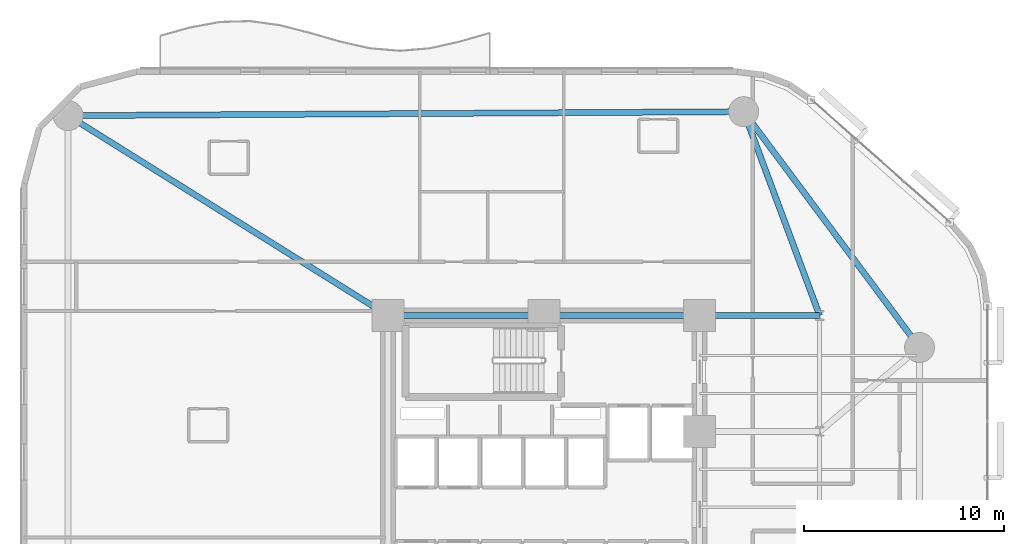
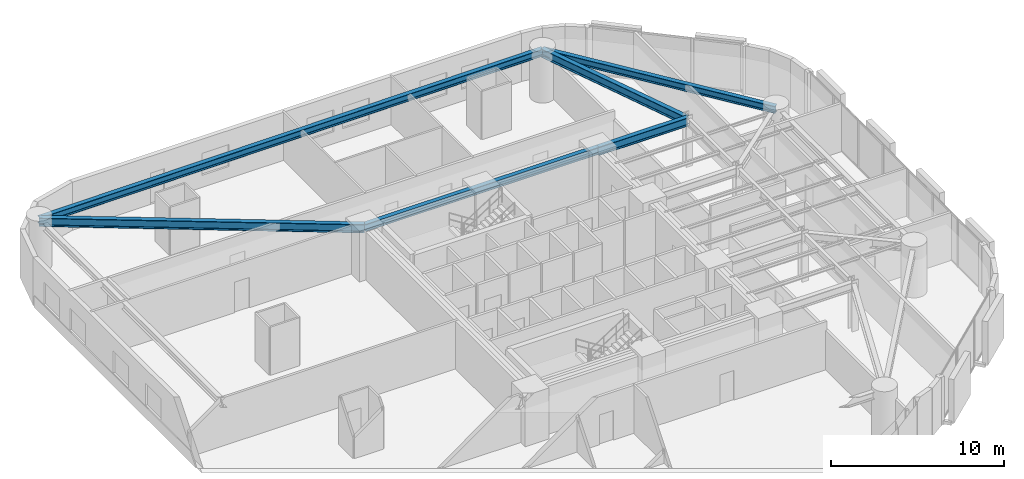
# One storey, part 7 of 16: 6 beams.
"""IFC4 building model written with IfcOpenShell, lengths in metres."""

from ifc_helpers import new_model, si_unit, direction, frame, origin, origin_2d, place, context, subcontext, project, spatial, i_section, extrude, material, material_profile, profile_set, type_object, element, save


model = new_model("IFC4")

# Units and contexts
model_context = context("Model", 3, precision=1e-05, world=origin(), true_north=direction((0.0, 1.0)))
body_context = subcontext(model_context, "Body", "Model", "MODEL_VIEW")
ifc_project = project(units=[si_unit("LENGTHUNIT", "METRE"), si_unit("AREAUNIT", "SQUARE_METRE"), si_unit("VOLUMEUNIT", "CUBIC_METRE"), si_unit("PLANEANGLEUNIT", "RADIAN"), si_unit("MASSUNIT", "GRAM", prefix="KILO")], contexts=[model_context])

# Site, building, storey
site_placement = place(None, origin())
site = spatial("IfcSite", under=ifc_project, at=site_placement, CompositionType="ELEMENT")
building_placement = place(site_placement, origin())
building = spatial("IfcBuilding", under=site, at=building_placement, Name="An Khanh Terracotta Commons", CompositionType="ELEMENT")
storey_placement = place(building_placement, frame((0.0, 0.0, 54.0)))
storey = spatial("IfcBuildingStorey", under=building, at=storey_placement, Name="L14", CompositionType="ELEMENT", Elevation=54.0)

# Beams
ifc_material = material(Name="Steel S355J2", Category="steel")
ifc_material_profile_1 = material_profile(ifc_material, i_section(OverallWidth=0.300048828125, OverallDepth=0.5, WebThickness=0.014404296875, FlangeThickness=0.028076171875, FilletRadius=0.027099609375, at=origin_2d()), Name="HEB500")
ifc_profile_set_1 = profile_set([ifc_material_profile_1], Name="Steel S355J2")
beam_type_1 = type_object("IfcBeamType", Name="BM-HEB500", PredefinedType="BEAM", material=ifc_profile_set_1)
beam_1_placement = place(storey_placement, frame((21.60009765625, 33.60009765625, 3.14990234375), z_axis=(1.0, 0.0, 0.0), x_axis=(0.0, 1.0, 0.0)))
element("IfcBeam", 1, at=beam_1_placement, inside=storey, type_object=beam_type_1, Name="L14 Core North Coupling Girder", PredefinedType="BEAM", context=body_context, shape_type="SweptSolid", body=[
    extrude(i_section(OverallWidth=0.300048828125, OverallDepth=0.5, WebThickness=0.014404296875, FlangeThickness=0.028076171875, FilletRadius=0.027099609375, at=origin_2d()), origin(), (0.0, 0.0, 1.0), 15.599853515625),
])
beam_2_placement = place(storey_placement, frame((48.199951171875, 32.0, 3.14990234375), z_axis=(-0.59782442166, 0.801627070942, 0.0), x_axis=(-0.801627070942, -0.59782442166, 0.0)))
element("IfcBeam", 2, at=beam_2_placement, inside=storey, type_object=beam_type_1, Name="L14 Perimeter Ring Spandrel 4", PredefinedType="BEAM", context=body_context, shape_type="SweptSolid", body=[
    extrude(i_section(OverallWidth=0.300048828125, OverallDepth=0.5, WebThickness=0.014404296875, FlangeThickness=0.028076171875, FilletRadius=0.027099609375, at=origin_2d()), origin(), (0.0, 0.0, 1.0), 14.72021484375),
])
beam_3_placement = place(storey_placement, frame((39.39990234375, 43.800048828125, 3.14990234375), z_axis=(-0.999982502414, -0.005915645817, 0.0), x_axis=(0.005915645817, -0.999982502414, 0.0)))
element("IfcBeam", 3, at=beam_3_placement, inside=storey, type_object=beam_type_1, Name="L14 Perimeter Ring Spandrel 5", PredefinedType="BEAM", context=body_context, shape_type="SweptSolid", body=[
    extrude(i_section(OverallWidth=0.300048828125, OverallDepth=0.5, WebThickness=0.014404296875, FlangeThickness=0.028076171875, FilletRadius=0.027099609375, at=origin_2d()), origin(), (0.0, 0.0, 1.0), 33.80029296875),
])
ifc_material_profile_2 = material_profile(ifc_material, i_section(OverallWidth=0.300048828125, OverallDepth=0.60009765625, WebThickness=0.015380859375, FlangeThickness=0.030029296875, FilletRadius=0.027099609375, at=origin_2d()), Name="HEB600")
ifc_profile_set_2 = profile_set([ifc_material_profile_2], Name="Steel S355J2")
beam_type_2 = type_object("IfcBeamType", Name="BM-HEB600", PredefinedType="BEAM", material=ifc_profile_set_2)
beam_4_placement = place(storey_placement, frame((37.199951171875, 33.60009765625, 3.10009765625), z_axis=(1.0, 0.0, 0.0), x_axis=(0.0, 1.0, 0.0)))
element("IfcBeam", 4, at=beam_4_placement, inside=storey, type_object=beam_type_2, Name="L14 East Primary Floor Girder 4", PredefinedType="BEAM", context=body_context, shape_type="SweptSolid", body=[
    extrude(i_section(OverallWidth=0.300048828125, OverallDepth=0.60009765625, WebThickness=0.015380859375, FlangeThickness=0.030029296875, FilletRadius=0.027099609375, at=origin_2d()), origin(), (0.0, 0.0, 1.0), 6.0),
])
beam_5_placement = place(storey_placement, frame((39.39990234375, 43.800048828125, 3.10009765625), z_axis=(0.349114429862, -0.937080100558, 0.0), x_axis=(0.937080100558, 0.349114429862, 0.0)))
element("IfcBeam", 5, at=beam_5_placement, inside=storey, type_object=beam_type_2, Name="L14 Mega-Column Tie Girder 5", PredefinedType="BEAM", context=body_context, shape_type="SweptSolid", body=[
    extrude(i_section(OverallWidth=0.300048828125, OverallDepth=0.60009765625, WebThickness=0.015380859375, FlangeThickness=0.030029296875, FilletRadius=0.027099609375, at=origin_2d()), origin(), (0.0, 0.0, 1.0), 10.884765625),
])
beam_6_placement = place(storey_placement, frame((5.60009765625, 43.60009765625, 3.10009765625), z_axis=(0.847998304005, -0.529998940003, 0.0), x_axis=(0.529998940003, 0.847998304005, 0.0)))
element("IfcBeam", 6, at=beam_6_placement, inside=storey, type_object=beam_type_2, Name="L14 Mega-Column Tie Girder 6", PredefinedType="BEAM", context=body_context, shape_type="SweptSolid", body=[
    extrude(i_section(OverallWidth=0.300048828125, OverallDepth=0.60009765625, WebThickness=0.015380859375, FlangeThickness=0.030029296875, FilletRadius=0.027099609375, at=origin_2d()), origin(), (0.0, 0.0, 1.0), 18.867919921875),
])

save(model, "model.ifc")
